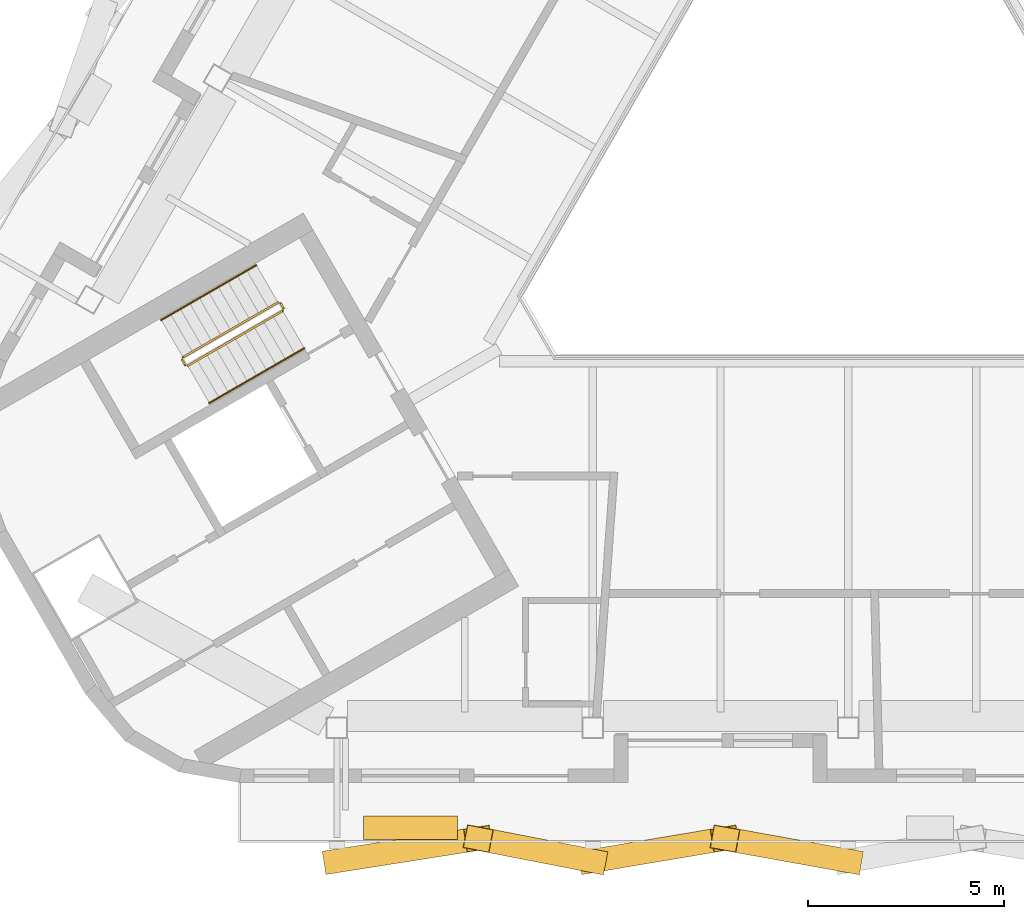
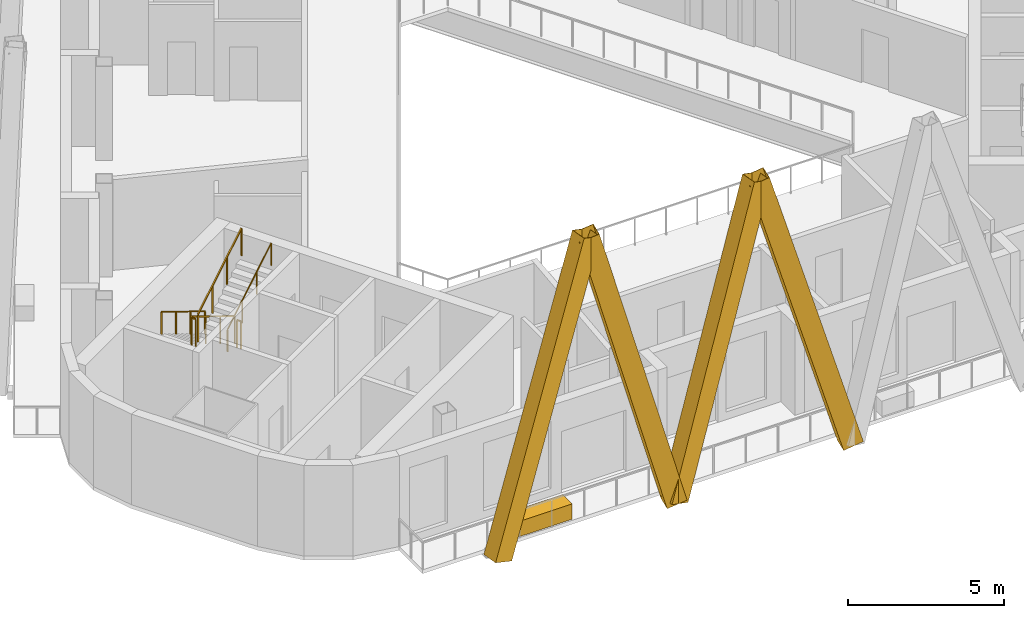
# One storey, part 8 of 11: 6 railings, 4 shading devices, 1 covering.
"""IFC4 building model written with IfcOpenShell, lengths in metres."""

from ifc_helpers import new_model, si_unit, direction, frame, origin, origin_2d, place, context, subcontext, project, spatial, rectangle, hollow_rectangle, circle, extrude, material, material_profile, profile_set, type_object, element, save


model = new_model("IFC4")

# Units and contexts
model_context = context("Model", 3, precision=1e-05, world=origin(), true_north=direction((0.0, 1.0)))
body_context = subcontext(model_context, "Body", "Model", "MODEL_VIEW")
ifc_project = project(units=[si_unit("LENGTHUNIT", "METRE"), si_unit("AREAUNIT", "SQUARE_METRE"), si_unit("VOLUMEUNIT", "CUBIC_METRE"), si_unit("PLANEANGLEUNIT", "RADIAN"), si_unit("MASSUNIT", "GRAM", prefix="KILO")], contexts=[model_context])

# Site, building, storey
site_placement = place(None, origin())
site = spatial("IfcSite", under=ifc_project, at=site_placement, CompositionType="ELEMENT")
building_placement = place(site_placement, origin())
building = spatial("IfcBuilding", under=site, at=building_placement, Name="Apuvela Tower Hotel", CompositionType="ELEMENT")
storey_placement = place(building_placement, frame((0.0, 0.0, 313.300048828125)))
storey = spatial("IfcBuildingStorey", under=building, at=storey_placement, Name="L78", CompositionType="ELEMENT", Elevation=313.300048828125)

# Railings
ifc_material_1 = material(Name="Steel S275 balustrade", Category="steel")
railing_type_1 = type_object("IfcRailingType", Name="COR-GUARD-1100", PredefinedType="GUARDRAIL", material=ifc_material_1)
railing_1_placement = place(storey_placement, frame((-14.569091796875, -3.9658203125, 0.168212890625)))
element("IfcRailing", 1, at=railing_1_placement, inside=storey, type_object=railing_type_1, Name="L78 ST2 stair guard 1", PredefinedType="GUARDRAIL", context=body_context, shape_type="SweptSolid", body=[
    extrude(rectangle(XDim=0.048095703125, YDim=0.048095703125, at=origin_2d()), frame((0.0, 0.0, 1.076171875), z_axis=(-0.74241905619, -0.428617687091, 0.514879426), x_axis=(0.49998411664, -0.866034573852, 0.0)), (0.0, 0.0, 1.0), 3.26611328125),
    extrude(rectangle(XDim=0.0419921875, YDim=0.0419921875, at=origin_2d()), origin(), (0.0, 0.0, 1.0), 1.052001953125),
    extrude(rectangle(XDim=0.0419921875, YDim=0.0419921875, at=origin_2d()), frame((-0.808349609375, -0.466552734375, 0.560546875)), (0.0, 0.0, 1.0), 1.052001953125),
    extrude(rectangle(XDim=0.0419921875, YDim=0.0419921875, at=origin_2d()), frame((-1.616455078125, -0.933349609375, 1.12109375)), (0.0, 0.0, 1.0), 1.052001953125),
    extrude(rectangle(XDim=0.0419921875, YDim=0.0419921875, at=origin_2d()), frame((-2.4248046875, -1.39990234375, 1.681640625)), (0.0, 0.0, 1.0), 1.052001953125),
])
railing_2_placement = place(storey_placement, frame((-17.01220703125, -5.43408203125, 1.849853515625)))
element("IfcRailing", 2, at=railing_2_placement, inside=storey, type_object=railing_type_1, Name="L78 ST2 stair guard 2", PredefinedType="GUARDRAIL", context=body_context, shape_type="SweptSolid", body=[
    extrude(rectangle(XDim=0.048095703125, YDim=0.048095703125, at=origin_2d()), frame((0.0, 0.0, 1.076171875), z_axis=(0.499816412211, -0.866131372301, 0.0), x_axis=(0.866131372301, 0.499816412211, 0.0)), (0.0, 0.0, 1.0), 0.14990234375),
    extrude(rectangle(XDim=0.0419921875, YDim=0.0419921875, at=origin_2d()), origin(), (0.0, 0.0, 1.0), 1.052001953125),
    extrude(rectangle(XDim=0.0419921875, YDim=0.0419921875, at=origin_2d()), frame((0.074951171875, -0.1298828125, 0.0)), (0.0, 0.0, 1.0), 1.052001953125),
])
railing_3_placement = place(storey_placement, frame((-16.868896484375, -5.582275390625, 2.01806640625)))
element("IfcRailing", 3, at=railing_3_placement, inside=storey, type_object=railing_type_1, Name="L78 ST2 stair guard 3", PredefinedType="GUARDRAIL", context=body_context, shape_type="SweptSolid", body=[
    extrude(rectangle(XDim=0.048095703125, YDim=0.048095703125, at=origin_2d()), frame((0.0, 0.0, 1.076171875), z_axis=(0.742390482028, 0.42860119049, 0.514934356695), x_axis=(-0.49998411664, 0.866034573852, 0.0)), (0.0, 0.0, 1.0), 3.26611328125),
    extrude(rectangle(XDim=0.0419921875, YDim=0.0419921875, at=origin_2d()), origin(), (0.0, 0.0, 1.0), 1.052001953125),
    extrude(rectangle(XDim=0.0419921875, YDim=0.0419921875, at=origin_2d()), frame((0.808349609375, 0.466552734375, 0.560546875)), (0.0, 0.0, 1.0), 1.052001953125),
    extrude(rectangle(XDim=0.0419921875, YDim=0.0419921875, at=origin_2d()), frame((1.616455078125, 0.933349609375, 1.121337890625)), (0.0, 0.0, 1.0), 1.052001953125),
    extrude(rectangle(XDim=0.0419921875, YDim=0.0419921875, at=origin_2d()), frame((2.4248046875, 1.39990234375, 1.681884765625)), (0.0, 0.0, 1.0), 1.052001953125),
])
railing_4_placement = place(storey_placement, frame((-14.500732421875, -3.984130859375, 0.0)))
element("IfcRailing", 4, at=railing_4_placement, inside=storey, type_object=railing_type_1, Name="L78 ST2 stair guard 4", PredefinedType="GUARDRAIL", context=body_context, shape_type="SweptSolid", body=[
    extrude(rectangle(XDim=0.048095703125, YDim=0.048095703125, at=origin_2d()), frame((0.0, 0.0, 1.076171875), z_axis=(0.499816412211, -0.866131372301, 0.0), x_axis=(0.866131372301, 0.499816412211, 0.0)), (0.0, 0.0, 1.0), 0.14990234375),
    extrude(rectangle(XDim=0.0419921875, YDim=0.0419921875, at=origin_2d()), origin(), (0.0, 0.0, 1.0), 1.052001953125),
    extrude(rectangle(XDim=0.0419921875, YDim=0.0419921875, at=origin_2d()), frame((0.074951171875, -0.1298828125, 0.0)), (0.0, 0.0, 1.0), 1.052001953125),
])
ifc_material_2 = material(Name="Stainless steel 316 handrail", Category="steel")
railing_type_2 = type_object("IfcRailingType", Name="COR-HANDRAIL-900", PredefinedType="HANDRAIL", material=ifc_material_2)
railing_5_placement = place(storey_placement, frame((-15.118896484375, -3.01318359375, 0.168212890625)))
element("IfcRailing", 5, at=railing_5_placement, inside=storey, type_object=railing_type_2, Name="L78 ST2 stair handrail 1", PredefinedType="HANDRAIL", context=body_context, shape_type="SweptSolid", body=[
    extrude(circle(Radius=0.02392578125, at=origin_2d()), frame((0.0, 0.0, 0.8759765625), z_axis=(-0.742452602333, -0.428593901316, 0.514850853203), x_axis=(0.49994636267, -0.866056369097, 0.0)), (0.0, 0.0, 1.0), 3.266357421875),
    extrude(rectangle(XDim=0.0419921875, YDim=0.0419921875, at=origin_2d()), origin(), (0.0, 0.0, 1.0), 0.851806640625),
    extrude(rectangle(XDim=0.0419921875, YDim=0.0419921875, at=origin_2d()), frame((-0.808349609375, -0.466552734375, 0.560546875)), (0.0, 0.0, 1.0), 0.851806640625),
    extrude(rectangle(XDim=0.0419921875, YDim=0.0419921875, at=origin_2d()), frame((-1.61669921875, -0.933349609375, 1.12109375)), (0.0, 0.0, 1.0), 0.851806640625),
    extrude(rectangle(XDim=0.0419921875, YDim=0.0419921875, at=origin_2d()), frame((-2.425048828125, -1.39990234375, 1.681640625)), (0.0, 0.0, 1.0), 0.851806640625),
])
railing_6_placement = place(storey_placement, frame((-16.31884765625, -6.534912109375, 2.01806640625)))
element("IfcRailing", 6, at=railing_6_placement, inside=storey, type_object=railing_type_2, Name="L78 ST2 stair handrail 2", PredefinedType="HANDRAIL", context=body_context, shape_type="SweptSolid", body=[
    extrude(circle(Radius=0.02392578125, at=origin_2d()), frame((0.0, 0.0, 0.8759765625), z_axis=(0.742390482028, 0.42860119049, 0.514934356695), x_axis=(-0.49998411664, 0.866034573852, 0.0)), (0.0, 0.0, 1.0), 3.26611328125),
    extrude(rectangle(XDim=0.0419921875, YDim=0.0419921875, at=origin_2d()), origin(), (0.0, 0.0, 1.0), 0.851806640625),
    extrude(rectangle(XDim=0.0419921875, YDim=0.0419921875, at=origin_2d()), frame((0.808349609375, 0.466552734375, 0.560546875)), (0.0, 0.0, 1.0), 0.851806640625),
    extrude(rectangle(XDim=0.0419921875, YDim=0.0419921875, at=origin_2d()), frame((1.616455078125, 0.933349609375, 1.121337890625)), (0.0, 0.0, 1.0), 0.851806640625),
    extrude(rectangle(XDim=0.0419921875, YDim=0.0419921875, at=origin_2d()), frame((2.4248046875, 1.39990234375, 1.681884765625)), (0.0, 0.0, 1.0), 0.851806640625),
])

# Shading devices
ifc_material_3 = material(Name="Aluminium 6063-T6, black anodised", Category="aluminium")
ifc_material_profile = material_profile(ifc_material_3, hollow_rectangle(XDim=0.60009765625, YDim=0.699951171875, WallThickness=0.011962890625, at=origin_2d()), Name="AL BOX 700x600x12")
ifc_profile_set = profile_set([ifc_material_profile], Name="Aluminium 6063-T6, black anodised")
shading_device_type = type_object("IfcShadingDeviceType", Name="ENV-FIN-700x600", PredefinedType="USERDEFINED", material=ifc_profile_set)
shading_device_1_placement = place(storey_placement, frame((-13.061279296875, -18.2275390625, -0.10009765625), z_axis=(0.308732219208, 0.048533866497, 0.949909932902), x_axis=(-0.155296550327, 0.987867896764, 0.0)))
element("IfcShadingDevice", 7, at=shading_device_1_placement, inside=storey, type_object=shading_device_type, Name="Lattice fin S641", ObjectType="FIN", PredefinedType="USERDEFINED", context=body_context, shape_type="SweptSolid", body=[
    extrude(hollow_rectangle(XDim=0.60009765625, YDim=0.699951171875, WallThickness=0.011962890625, at=origin_2d()), origin(), (0.0, 0.0, 1.0), 11.685302734375),
])
shading_device_2_placement = place(storey_placement, frame((-6.53076171875, -18.2275390625, -0.10009765625), z_axis=(-0.254327526202, 0.049348717288, 0.965858278174), x_axis=(-0.190483365651, -0.981690423408, 0.0)))
element("IfcShadingDevice", 8, at=shading_device_2_placement, inside=storey, type_object=shading_device_type, Name="Lattice fin S642", ObjectType="FIN", PredefinedType="USERDEFINED", context=body_context, shape_type="SweptSolid", body=[
    extrude(hollow_rectangle(XDim=0.60009765625, YDim=0.699951171875, WallThickness=0.011962890625, at=origin_2d()), origin(), (0.0, 0.0, 1.0), 11.492431640625),
])
shading_device_3_placement = place(storey_placement, frame((-6.53076171875, -18.2275390625, -0.10009765625), z_axis=(0.290920643346, 0.048819522827, 0.955500828606), x_axis=(-0.165496405654, 0.98621039323, 0.0)))
element("IfcShadingDevice", 9, at=shading_device_3_placement, inside=storey, type_object=shading_device_type, Name="Lattice fin S643", ObjectType="FIN", PredefinedType="USERDEFINED", context=body_context, shape_type="SweptSolid", body=[
    extrude(hollow_rectangle(XDim=0.60009765625, YDim=0.699951171875, WallThickness=0.011962890625, at=origin_2d()), origin(), (0.0, 0.0, 1.0), 11.616943359375),
])
shading_device_4_placement = place(storey_placement, frame((0.0, -18.2275390625, -0.10009765625), z_axis=(-0.27276226304, 0.049091712795, 0.960828159244), x_axis=(-0.177133794906, -0.984186780394, 0.0)))
element("IfcShadingDevice", 10, at=shading_device_4_placement, inside=storey, type_object=shading_device_type, Name="Lattice fin S644", ObjectType="FIN", PredefinedType="USERDEFINED", context=body_context, shape_type="SweptSolid", body=[
    extrude(hollow_rectangle(XDim=0.60009765625, YDim=0.699951171875, WallThickness=0.011962890625, at=origin_2d()), origin(), (0.0, 0.0, 1.0), 11.552734375),
])

# Covering
ifc_material_4 = material(Name="Planting substrate and soil, planted")
covering_type = type_object("IfcCoveringType", Name="ENV-PLANTER-2400x600", PredefinedType="USERDEFINED", material=ifc_material_4)
covering_placement = place(storey_placement, frame((-11.18603515625, -17.37744140625, 0.0), z_axis=(0.0, 0.0, 1.0), x_axis=(1.0, 0.0, 0.0)))
element("IfcCovering", 11, at=covering_placement, inside=storey, type_object=covering_type, Name="Planter S1", ObjectType="PLANTER", PredefinedType="USERDEFINED", context=body_context, shape_type="SweptSolid", body=[
    extrude(rectangle(XDim=2.39990234375, YDim=0.60009765625, at=origin_2d()), origin(), (0.0, 0.0, 1.0), 0.60009765625),
])

save(model, "model.ifc")
